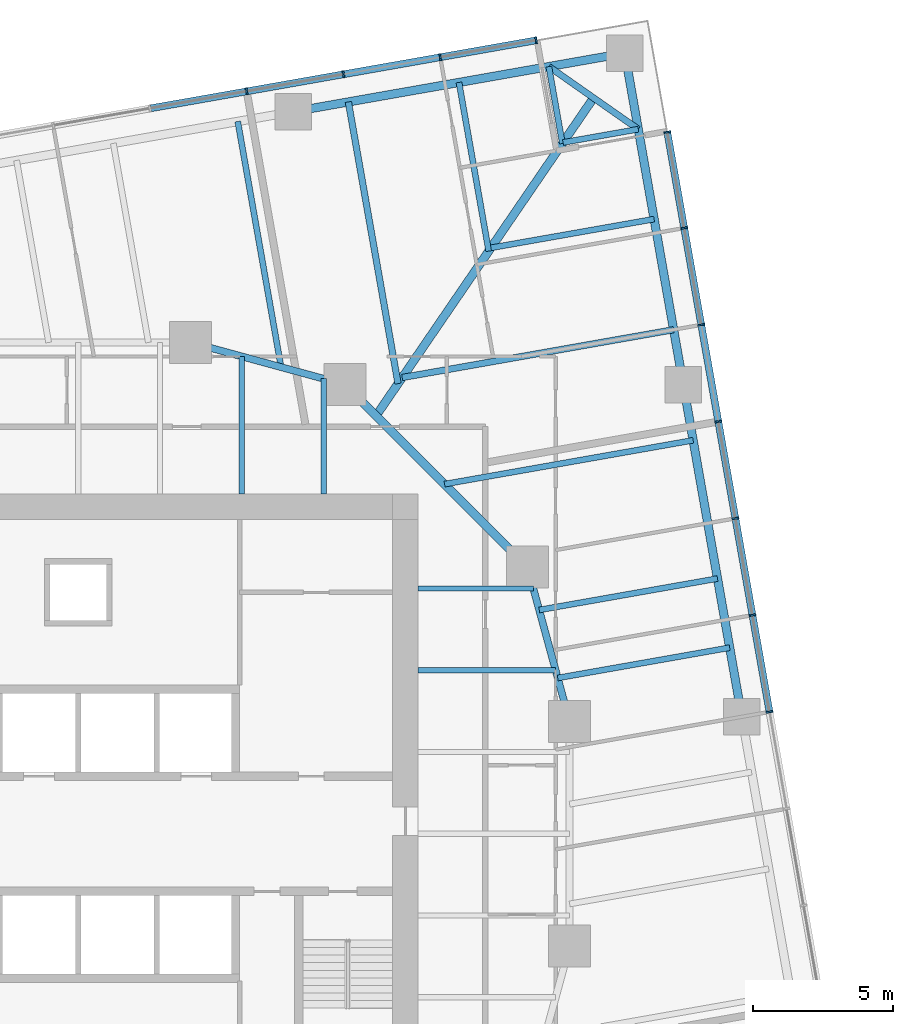
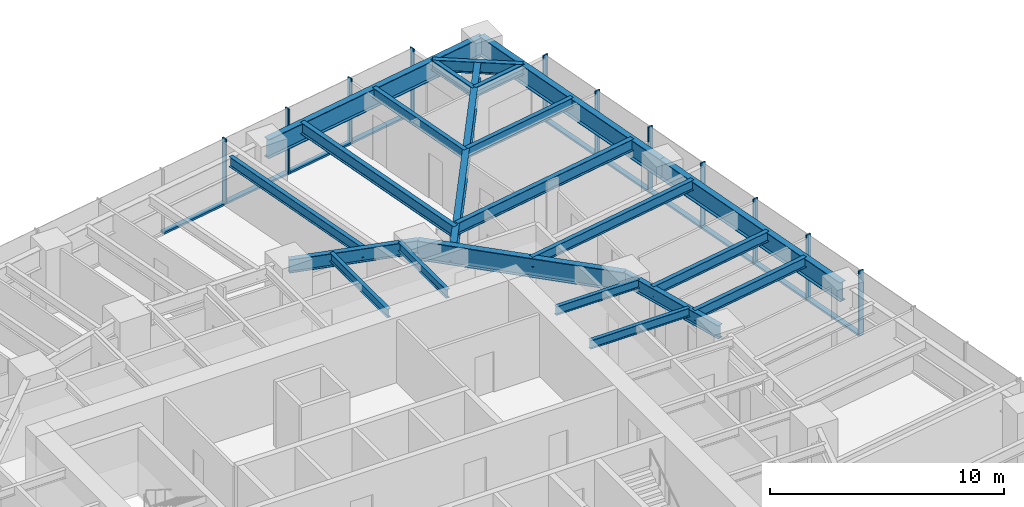
# One storey, part 6 of 14: 22 beams, 21 members, 2 elements without a shape of their own.
"""IFC4 building model written with IfcOpenShell, lengths in metres."""

from ifc_helpers import new_model, si_unit, direction, frame, origin, origin_2d, place, context, subcontext, project, spatial, rectangle, i_section, extrude, material, material_profile, profile_set, type_object, element, aggregate, save


model = new_model("IFC4")

# Units and contexts
model_context = context("Model", 3, precision=1e-05, world=origin(), true_north=direction((0.0, 1.0)))
body_context = subcontext(model_context, "Body", "Model", "MODEL_VIEW")
ifc_project = project(units=[si_unit("LENGTHUNIT", "METRE"), si_unit("AREAUNIT", "SQUARE_METRE"), si_unit("VOLUMEUNIT", "CUBIC_METRE"), si_unit("PLANEANGLEUNIT", "RADIAN"), si_unit("MASSUNIT", "GRAM", prefix="KILO")], contexts=[model_context])

# Site, building, storey
site_placement = place(None, origin())
site = spatial("IfcSite", under=ifc_project, at=site_placement, CompositionType="ELEMENT")
building_placement = place(site_placement, origin())
building = spatial("IfcBuilding", under=site, at=building_placement, Name="Torsade Residences", CompositionType="ELEMENT")
storey_placement = place(building_placement, frame((0.0, 0.0, 79.39990234375)))
storey = spatial("IfcBuildingStorey", under=building, at=storey_placement, Name="L21", CompositionType="ELEMENT", Elevation=79.39990234375)

# Beams
ifc_material_1 = material(Name="Steel grade 300", Category="steel")
ifc_material_profile_1 = material_profile(ifc_material_1, i_section(OverallWidth=0.300048828125, OverallDepth=0.89990234375, WebThickness=0.011962890625, FlangeThickness=0.02490234375, at=origin_2d()), Name="900WB175")
ifc_profile_set_1 = profile_set([ifc_material_profile_1], Name="Steel grade 300")
beam_type_1 = type_object("IfcBeamType", Name="CORNER GIRDER 900WB175", PredefinedType="BEAM", material=ifc_profile_set_1)
beam_1_placement = place(storey_placement, frame((58.3525390625, 56.2099609375, 2.800048828125), z_axis=(-0.564724759437, -0.825279313977, 0.0), x_axis=(0.825279313977, -0.564724759437, 0.0)))
element("IfcBeam", 1, at=beam_1_placement, inside=storey, type_object=beam_type_1, Name="Corner girder 09 L22", PredefinedType="BEAM", context=body_context, shape_type="SweptSolid", body=[
    extrude(i_section(OverallWidth=0.300048828125, OverallDepth=0.89990234375, WebThickness=0.011962890625, FlangeThickness=0.02490234375, at=origin_2d()), origin(), (0.0, 0.0, 1.0), 13.7138671875),
])
ifc_material_2 = material(Name="Steel grade 300", Category="steel")
ifc_material_profile_2 = material_profile(ifc_material_2, i_section(OverallWidth=0.22802734375, OverallDepth=0.60205078125, WebThickness=0.010498046875, FlangeThickness=0.014892578125, FilletRadius=0.013916015625, at=origin_2d()), Name="610UB101")
ifc_profile_set_2 = profile_set([ifc_material_profile_2], Name="Steel grade 300")
beam_type_2 = type_object("IfcBeamType", Name="CORNER TRIMMER 610UB101", PredefinedType="BEAM", material=ifc_profile_set_2)
beam_2_placement = place(storey_placement, frame((56.759521484375, 57.325439453125, 2.94921875), z_axis=(0.819152285145, -0.573576092373, 0.0), x_axis=(0.573576092373, 0.819152285145, 0.0)))
element("IfcBeam", 2, at=beam_2_placement, inside=storey, type_object=beam_type_2, Name="Corner trimmer 09 L22", PredefinedType="BEAM", context=body_context, shape_type="SweptSolid", body=[
    extrude(i_section(OverallWidth=0.22802734375, OverallDepth=0.60205078125, WebThickness=0.010498046875, FlangeThickness=0.014892578125, FilletRadius=0.013916015625, at=origin_2d()), origin(), (0.0, 0.0, 1.0), 3.88916015625),
])

# Curtain wall, members
ifc_material_3 = material(Name="Aluminium and glass", Category="aluminium")
curtain_wall_type = type_object("IfcCurtainWallType", Name="FRITTED GLASS CURTAIN WALL LOW ZONE", PredefinedType="NOTDEFINED", material=ifc_material_3)
curtain_wall_1_placement = place(storey_placement, origin())
curtain_wall_1 = element("IfcCurtainWall", 3, at=curtain_wall_1_placement, inside=storey, type_object=curtain_wall_type, Name="Curtain wall L21 face 4", PredefinedType="NOTDEFINED")
ifc_material_4 = material(Name="Aluminium mullion", Category="aluminium")
ifc_material_profile_3 = material_profile(ifc_material_4, rectangle(XDim=0.25, YDim=0.06494140625, at=origin_2d()), Name="CURTAIN WALL MULLION 250x65")
ifc_profile_set_3 = profile_set([ifc_material_profile_3], Name="Aluminium mullion")
member_type_1 = type_object("IfcMemberType", Name="CURTAIN WALL MULLION 250x65", PredefinedType="MULLION", material=ifc_profile_set_3)
member_1_placement = place(storey_placement, frame((64.6201171875, 34.34130859375, 0.0), z_axis=(0.0, 0.0, 1.0), x_axis=(-0.984807750372, -0.173648192638, 0.0)))
member_1 = element("IfcMember", 4, at=member_1_placement, type_object=member_type_1, Name="Mullion 7", PredefinedType="MULLION", context=body_context, shape_type="SweptSolid", body=[
    extrude(rectangle(XDim=0.25, YDim=0.06494140625, at=origin_2d()), origin(), (0.0, 0.0, 1.0), 3.400146484375),
])
member_2_placement = place(storey_placement, frame((64.012451171875, 37.7880859375, 0.0), z_axis=(0.0, 0.0, 1.0), x_axis=(-0.984807750372, -0.173648192638, 0.0)))
member_2 = element("IfcMember", 5, at=member_2_placement, type_object=member_type_1, Name="Mullion 8", PredefinedType="MULLION", context=body_context, shape_type="SweptSolid", body=[
    extrude(rectangle(XDim=0.25, YDim=0.06494140625, at=origin_2d()), origin(), (0.0, 0.0, 1.0), 3.400146484375),
])
member_3_placement = place(storey_placement, frame((63.404541015625, 41.23486328125, 0.0), z_axis=(0.0, 0.0, 1.0), x_axis=(-0.984807750372, -0.173648192638, 0.0)))
member_3 = element("IfcMember", 6, at=member_3_placement, type_object=member_type_1, Name="Mullion 9", PredefinedType="MULLION", context=body_context, shape_type="SweptSolid", body=[
    extrude(rectangle(XDim=0.25, YDim=0.06494140625, at=origin_2d()), origin(), (0.0, 0.0, 1.0), 3.400146484375),
])
member_4_placement = place(storey_placement, frame((62.796875, 44.681640625, 0.0), z_axis=(0.0, 0.0, 1.0), x_axis=(-0.984807750372, -0.173648192638, 0.0)))
member_4 = element("IfcMember", 7, at=member_4_placement, type_object=member_type_1, Name="Mullion 10", PredefinedType="MULLION", context=body_context, shape_type="SweptSolid", body=[
    extrude(rectangle(XDim=0.25, YDim=0.06494140625, at=origin_2d()), origin(), (0.0, 0.0, 1.0), 3.400146484375),
])
member_5_placement = place(storey_placement, frame((62.189208984375, 48.12841796875, 0.0), z_axis=(0.0, 0.0, 1.0), x_axis=(-0.984807750372, -0.173648192638, 0.0)))
member_5 = element("IfcMember", 8, at=member_5_placement, type_object=member_type_1, Name="Mullion 11", PredefinedType="MULLION", context=body_context, shape_type="SweptSolid", body=[
    extrude(rectangle(XDim=0.25, YDim=0.06494140625, at=origin_2d()), origin(), (0.0, 0.0, 1.0), 3.400146484375),
])
member_6_placement = place(storey_placement, frame((61.581298828125, 51.575439453125, 0.0), z_axis=(0.0, 0.0, 1.0), x_axis=(-0.984807750372, -0.173648192638, 0.0)))
member_6 = element("IfcMember", 9, at=member_6_placement, type_object=member_type_1, Name="Mullion 12", PredefinedType="MULLION", context=body_context, shape_type="SweptSolid", body=[
    extrude(rectangle(XDim=0.25, YDim=0.06494140625, at=origin_2d()), origin(), (0.0, 0.0, 1.0), 3.400146484375),
])
member_7_placement = place(storey_placement, frame((60.979248046875, 54.990234375, 0.0), z_axis=(0.0, 0.0, 1.0), x_axis=(-0.984807750372, -0.173648192638, 0.0)))
member_7 = element("IfcMember", 10, at=member_7_placement, type_object=member_type_1, Name="Mullion 13", PredefinedType="MULLION", context=body_context, shape_type="SweptSolid", body=[
    extrude(rectangle(XDim=0.25, YDim=0.06494140625, at=origin_2d()), origin(), (0.0, 0.0, 1.0), 3.400146484375),
])

curtain_wall_2_placement = place(storey_placement, origin())
curtain_wall_2 = element("IfcCurtainWall", 11, at=curtain_wall_2_placement, inside=storey, type_object=curtain_wall_type, Name="Curtain wall L21 face 7", PredefinedType="NOTDEFINED")
member_8_placement = place(storey_placement, frame((56.307861328125, 58.26123046875, 0.0), z_axis=(0.0, 0.0, 1.0), x_axis=(0.173648192638, -0.984807750372, 0.0)))
member_8 = element("IfcMember", 12, at=member_8_placement, type_object=member_type_1, Name="Mullion 1", PredefinedType="MULLION", context=body_context, shape_type="SweptSolid", body=[
    extrude(rectangle(XDim=0.25, YDim=0.06494140625, at=origin_2d()), origin(), (0.0, 0.0, 1.0), 3.400146484375),
])
member_9_placement = place(storey_placement, frame((52.892822265625, 57.658935546875, 0.0), z_axis=(0.0, 0.0, 1.0), x_axis=(0.173648192638, -0.984807750372, 0.0)))
member_9 = element("IfcMember", 13, at=member_9_placement, type_object=member_type_1, Name="Mullion 2", PredefinedType="MULLION", context=body_context, shape_type="SweptSolid", body=[
    extrude(rectangle(XDim=0.25, YDim=0.06494140625, at=origin_2d()), origin(), (0.0, 0.0, 1.0), 3.400146484375),
])
member_10_placement = place(storey_placement, frame((49.446044921875, 57.05126953125, 0.0), z_axis=(0.0, 0.0, 1.0), x_axis=(0.173648192638, -0.984807750372, 0.0)))
member_10 = element("IfcMember", 14, at=member_10_placement, type_object=member_type_1, Name="Mullion 3", PredefinedType="MULLION", context=body_context, shape_type="SweptSolid", body=[
    extrude(rectangle(XDim=0.25, YDim=0.06494140625, at=origin_2d()), origin(), (0.0, 0.0, 1.0), 3.400146484375),
])
member_11_placement = place(storey_placement, frame((45.999267578125, 56.443603515625, 0.0), z_axis=(0.0, 0.0, 1.0), x_axis=(0.173648192638, -0.984807750372, 0.0)))
member_11 = element("IfcMember", 15, at=member_11_placement, type_object=member_type_1, Name="Mullion 4", PredefinedType="MULLION", context=body_context, shape_type="SweptSolid", body=[
    extrude(rectangle(XDim=0.25, YDim=0.06494140625, at=origin_2d()), origin(), (0.0, 0.0, 1.0), 3.400146484375),
])

# Member
ifc_material_5 = material(Name="Aluminium transom", Category="aluminium")
ifc_material_profile_4 = material_profile(ifc_material_5, rectangle(XDim=0.25, YDim=0.10009765625, at=origin_2d()), Name="CURTAIN WALL TRANSOM 250x100")
ifc_profile_set_4 = profile_set([ifc_material_profile_4], Name="Aluminium transom")
member_type_2 = type_object("IfcMemberType", Name="CURTAIN WALL TRANSOM 250x100", PredefinedType="USERDEFINED", material=ifc_profile_set_4)
member_12_placement = place(storey_placement, frame((64.614501953125, 34.373291015625, 0.050048828125), z_axis=(-0.17363531196, 0.984810021497, 0.0), x_axis=(-0.984810021497, -0.17363531196, 0.0)))
member_12 = element("IfcMember", 16, at=member_12_placement, type_object=member_type_2, Name="Transom 7.1", ObjectType="TRANSOM", PredefinedType="USERDEFINED", context=body_context, shape_type="SweptSolid", body=[
    extrude(rectangle(XDim=0.25, YDim=0.10009765625, at=origin_2d()), origin(), (0.0, 0.0, 1.0), 3.43505859375),
])

member_13_placement = place(storey_placement, frame((64.0068359375, 37.820068359375, 0.050048828125), z_axis=(-0.17363531196, 0.984810021497, 0.0), x_axis=(-0.984810021497, -0.17363531196, 0.0)))
member_13 = element("IfcMember", 17, at=member_13_placement, type_object=member_type_2, Name="Transom 8.1", ObjectType="TRANSOM", PredefinedType="USERDEFINED", context=body_context, shape_type="SweptSolid", body=[
    extrude(rectangle(XDim=0.25, YDim=0.10009765625, at=origin_2d()), origin(), (0.0, 0.0, 1.0), 3.43505859375),
])

member_14_placement = place(storey_placement, frame((63.39892578125, 41.266845703125, 0.050048828125), z_axis=(-0.17363531196, 0.984810021497, 0.0), x_axis=(-0.984810021497, -0.17363531196, 0.0)))
member_14 = element("IfcMember", 18, at=member_14_placement, type_object=member_type_2, Name="Transom 9.1", ObjectType="TRANSOM", PredefinedType="USERDEFINED", context=body_context, shape_type="SweptSolid", body=[
    extrude(rectangle(XDim=0.25, YDim=0.10009765625, at=origin_2d()), origin(), (0.0, 0.0, 1.0), 3.43505859375),
])

member_15_placement = place(storey_placement, frame((62.791259765625, 44.713623046875, 0.050048828125), z_axis=(-0.17363531196, 0.984810021497, 0.0), x_axis=(-0.984810021497, -0.17363531196, 0.0)))
member_15 = element("IfcMember", 19, at=member_15_placement, type_object=member_type_2, Name="Transom 10.1", ObjectType="TRANSOM", PredefinedType="USERDEFINED", context=body_context, shape_type="SweptSolid", body=[
    extrude(rectangle(XDim=0.25, YDim=0.10009765625, at=origin_2d()), origin(), (0.0, 0.0, 1.0), 3.43505859375),
])

member_16_placement = place(storey_placement, frame((62.18359375, 48.160400390625, 0.050048828125), z_axis=(-0.173704242465, 0.98479786563, 0.0), x_axis=(-0.98479786563, -0.173704242465, 0.0)))
member_16 = element("IfcMember", 20, at=member_16_placement, type_object=member_type_2, Name="Transom 11.1", ObjectType="TRANSOM", PredefinedType="USERDEFINED", context=body_context, shape_type="SweptSolid", body=[
    extrude(rectangle(XDim=0.25, YDim=0.10009765625, at=origin_2d()), origin(), (0.0, 0.0, 1.0), 3.43505859375),
])

member_17_placement = place(storey_placement, frame((61.57568359375, 51.607421875, 0.050048828125), z_axis=(-0.173642067011, 0.984808830466, 0.0), x_axis=(-0.984808830466, -0.173642067011, 0.0)))
member_17 = element("IfcMember", 21, at=member_17_placement, type_object=member_type_2, Name="Transom 12.1", ObjectType="TRANSOM", PredefinedType="USERDEFINED", context=body_context, shape_type="SweptSolid", body=[
    extrude(rectangle(XDim=0.25, YDim=0.10009765625, at=origin_2d()), origin(), (0.0, 0.0, 1.0), 3.402587890625),
])

aggregate(curtain_wall_1, [member_1, member_2, member_3, member_4, member_5, member_6, member_7, member_12, member_13, member_14, member_15, member_16, member_17])

member_18_placement = place(storey_placement, frame((56.275634765625, 58.255615234375, 0.050048828125), z_axis=(-0.984806666774, -0.173654337918, 0.0), x_axis=(0.173654337918, -0.984806666774, 0.0)))
member_18 = element("IfcMember", 22, at=member_18_placement, type_object=member_type_2, Name="Transom 1.1", ObjectType="TRANSOM", PredefinedType="USERDEFINED", context=body_context, shape_type="SweptSolid", body=[
    extrude(rectangle(XDim=0.25, YDim=0.10009765625, at=origin_2d()), origin(), (0.0, 0.0, 1.0), 3.40234375),
])

member_19_placement = place(storey_placement, frame((52.86083984375, 57.6533203125, 0.050048828125), z_axis=(-0.984810021497, -0.17363531196, 0.0), x_axis=(0.17363531196, -0.984810021497, 0.0)))
member_19 = element("IfcMember", 23, at=member_19_placement, type_object=member_type_2, Name="Transom 2.1", ObjectType="TRANSOM", PredefinedType="USERDEFINED", context=body_context, shape_type="SweptSolid", body=[
    extrude(rectangle(XDim=0.25, YDim=0.10009765625, at=origin_2d()), origin(), (0.0, 0.0, 1.0), 3.43505859375),
])

member_20_placement = place(storey_placement, frame((49.4140625, 57.045654296875, 0.050048828125), z_axis=(-0.984810021497, -0.17363531196, 0.0), x_axis=(0.17363531196, -0.984810021497, 0.0)))
member_20 = element("IfcMember", 24, at=member_20_placement, type_object=member_type_2, Name="Transom 3.1", ObjectType="TRANSOM", PredefinedType="USERDEFINED", context=body_context, shape_type="SweptSolid", body=[
    extrude(rectangle(XDim=0.25, YDim=0.10009765625, at=origin_2d()), origin(), (0.0, 0.0, 1.0), 3.43505859375),
])

member_21_placement = place(storey_placement, frame((45.96728515625, 56.437744140625, 0.050048828125), z_axis=(-0.984810021497, -0.17363531196, 0.0), x_axis=(0.17363531196, -0.984810021497, 0.0)))
member_21 = element("IfcMember", 25, at=member_21_placement, type_object=member_type_2, Name="Transom 4.1", ObjectType="TRANSOM", PredefinedType="USERDEFINED", context=body_context, shape_type="SweptSolid", body=[
    extrude(rectangle(XDim=0.25, YDim=0.10009765625, at=origin_2d()), origin(), (0.0, 0.0, 1.0), 3.43505859375),
])

aggregate(curtain_wall_2, [member_8, member_9, member_10, member_11, member_18, member_19, member_20, member_21])

# Beams
ifc_material_6 = material(Name="Steel grade 300", Category="steel")
ifc_material_profile_5 = material_profile(ifc_material_6, i_section(OverallWidth=0.300048828125, OverallDepth=1.0, WebThickness=0.01611328125, FlangeThickness=0.028076171875, at=origin_2d()), Name="1000WB215")
ifc_profile_set_5 = profile_set([ifc_material_profile_5], Name="Steel grade 300")
beam_type_3 = type_object("IfcBeamType", Name="EDGE BEAM 1000WB215", PredefinedType="SPANDREL", material=ifc_profile_set_5)
beam_3_placement = place(storey_placement, frame((63.635498046875, 34.16748046875, 2.75), z_axis=(-0.173662308598, 0.984805261243, 0.0), x_axis=(-0.984805261243, -0.173662308598, 0.0)))
element("IfcBeam", 26, at=beam_3_placement, inside=storey, type_object=beam_type_3, Name="Edge beam 07 L22", PredefinedType="SPANDREL", context=body_context, shape_type="SweptSolid", body=[
    extrude(i_section(OverallWidth=0.300048828125, OverallDepth=1.0, WebThickness=0.01611328125, FlangeThickness=0.028076171875, at=origin_2d()), origin(), (0.0, 0.0, 1.0), 12.000244140625),
])
for number, where, z_axis, x_axis, name in (
    (27, (61.551513671875, 45.9853515625, 2.75), (-0.173646056486, 0.984808127031, 0.0), (-0.984808127031, -0.173646056486, 0.0), "Edge beam 08 L22"),
    (28, (59.4677734375, 57.802978515625, 2.75), (-0.984808127031, -0.173646056486, 0.0), (0.173646056486, -0.984808127031, 0.0), "Edge beam 09 L22"),
):
    element("IfcBeam", number, at=place(storey_placement, frame(where, z_axis=z_axis, x_axis=x_axis)), inside=storey, type_object=beam_type_3, Name=name, PredefinedType="SPANDREL", context=body_context, shape_type="SweptSolid", body=[
        extrude(i_section(OverallWidth=0.300048828125, OverallDepth=1.0, WebThickness=0.01611328125, FlangeThickness=0.028076171875, at=origin_2d()), origin(), (0.0, 0.0, 1.0), 12.0),
    ])
ifc_material_7 = material(Name="Steel grade 300", Category="steel")
ifc_material_profile_6 = material_profile(ifc_material_7, i_section(OverallWidth=0.18994140625, OverallDepth=0.4541015625, WebThickness=0.008544921875, FlangeThickness=0.0126953125, FilletRadius=0.011474609375, at=origin_2d()), Name="460UB67.1")
ifc_profile_set_6 = profile_set([ifc_material_profile_6], Name="Steel grade 300")
beam_type_4 = type_object("IfcBeamType", Name="INNER FLOOR BEAM 460UB67.1", PredefinedType="JOIST", material=ifc_profile_set_6)
beam_4_placement = place(storey_placement, frame((45.824951171875, 42.10009765625, 3.023193359375), z_axis=(0.0, 1.0, 0.0), x_axis=(-1.0, 0.0, 0.0)))
element("IfcBeam", 29, at=beam_4_placement, inside=storey, type_object=beam_type_4, Name="Inner floor beam IN06 L22", PredefinedType="JOIST", context=body_context, shape_type="SweptSolid", body=[
    extrude(i_section(OverallWidth=0.18994140625, OverallDepth=0.4541015625, WebThickness=0.008544921875, FlangeThickness=0.0126953125, FilletRadius=0.011474609375, at=origin_2d()), origin(), (0.0, 0.0, 1.0), 4.902099609375),
])
beam_5_placement = place(storey_placement, frame((48.737548828125, 42.10009765625, 3.023193359375), z_axis=(0.0, 1.0, 0.0), x_axis=(-1.0, 0.0, 0.0)))
element("IfcBeam", 30, at=beam_5_placement, inside=storey, type_object=beam_type_4, Name="Inner floor beam IN07 L22", PredefinedType="JOIST", context=body_context, shape_type="SweptSolid", body=[
    extrude(i_section(OverallWidth=0.18994140625, OverallDepth=0.4541015625, WebThickness=0.008544921875, FlangeThickness=0.0126953125, FilletRadius=0.011474609375, at=origin_2d()), origin(), (0.0, 0.0, 1.0), 4.10791015625),
])
beam_6_placement = place(storey_placement, frame((52.10009765625, 35.824951171875, 3.023193359375), z_axis=(1.0, 0.0, 0.0), x_axis=(0.0, 1.0, 0.0)))
element("IfcBeam", 31, at=beam_6_placement, inside=storey, type_object=beam_type_4, Name="Inner floor beam IE06 L22", PredefinedType="JOIST", context=body_context, shape_type="SweptSolid", body=[
    extrude(i_section(OverallWidth=0.18994140625, OverallDepth=0.4541015625, WebThickness=0.008544921875, FlangeThickness=0.0126953125, FilletRadius=0.011474609375, at=origin_2d()), origin(), (0.0, 0.0, 1.0), 4.902099609375),
])
beam_7_placement = place(storey_placement, frame((52.10009765625, 38.737548828125, 3.023193359375), z_axis=(1.0, 0.0, 0.0), x_axis=(0.0, 1.0, 0.0)))
element("IfcBeam", 32, at=beam_7_placement, inside=storey, type_object=beam_type_4, Name="Inner floor beam IE07 L22", PredefinedType="JOIST", context=body_context, shape_type="SweptSolid", body=[
    extrude(i_section(OverallWidth=0.18994140625, OverallDepth=0.4541015625, WebThickness=0.008544921875, FlangeThickness=0.0126953125, FilletRadius=0.011474609375, at=origin_2d()), origin(), (0.0, 0.0, 1.0), 4.10791015625),
])
ifc_material_8 = material(Name="Steel grade 300", Category="steel")
ifc_material_profile_7 = material_profile(ifc_material_8, i_section(OverallWidth=0.300048828125, OverallDepth=1.0, WebThickness=0.01611328125, FlangeThickness=0.028076171875, at=origin_2d()), Name="1000WB215")
ifc_profile_set_7 = profile_set([ifc_material_profile_7], Name="Steel grade 300")
beam_type_5 = type_object("IfcBeamType", Name="RING CORNER GIRDER 1000WB215", PredefinedType="BEAM", material=ifc_profile_set_7)
beam_8_placement = place(storey_placement, frame((56.0, 39.5, 2.75), z_axis=(-0.707106781187, 0.707106781187, 0.0), x_axis=(-0.707106781187, -0.707106781187, 0.0)))
element("IfcBeam", 33, at=beam_8_placement, inside=storey, type_object=beam_type_5, Name="Ring girder IR03 L22", PredefinedType="BEAM", context=body_context, shape_type="SweptSolid", body=[
    extrude(i_section(OverallWidth=0.300048828125, OverallDepth=1.0, WebThickness=0.01611328125, FlangeThickness=0.028076171875, at=origin_2d()), origin(), (0.0, 0.0, 1.0), 9.1923828125),
])
ifc_material_9 = material(Name="Steel grade 300", Category="steel")
ifc_material_profile_8 = material_profile(ifc_material_9, i_section(OverallWidth=0.25, OverallDepth=0.699951171875, WebThickness=0.010009765625, FlangeThickness=0.02001953125, at=origin_2d()), Name="700WB130")
ifc_profile_set_8 = profile_set([ifc_material_profile_8], Name="Steel grade 300")
beam_type_6 = type_object("IfcBeamType", Name="RING GIRDER 700WB130", PredefinedType="BEAM", material=ifc_profile_set_8)
for number, where, z_axis, x_axis, name in (
    (34, (57.5, 34.0, 2.900146484375), (-0.263117405792, 0.964763821238, 0.0), (-0.964763821238, -0.263117405792, 0.0), "Ring girder IR02 L22"),
    (35, (49.5, 46.0, 2.900146484375), (-0.964763821238, 0.263117405792, 0.0), (-0.263117405792, -0.964763821238, 0.0), "Ring girder IR04 L22"),
):
    element("IfcBeam", number, at=place(storey_placement, frame(where, z_axis=z_axis, x_axis=x_axis)), inside=storey, type_object=beam_type_6, Name=name, PredefinedType="BEAM", context=body_context, shape_type="SweptSolid", body=[
        extrude(i_section(OverallWidth=0.25, OverallDepth=0.699951171875, WebThickness=0.010009765625, FlangeThickness=0.02001953125, at=origin_2d()), origin(), (0.0, 0.0, 1.0), 5.700927734375),
    ])
ifc_material_10 = material(Name="Steel grade 300", Category="steel")
ifc_material_profile_9 = material_profile(ifc_material_10, i_section(OverallWidth=0.208984375, OverallDepth=0.528076171875, WebThickness=0.009521484375, FlangeThickness=0.01318359375, FilletRadius=0.013916015625, at=origin_2d()), Name="530UB82.0")
ifc_profile_set_9 = profile_set([ifc_material_profile_9], Name="Steel grade 300")
beam_type_7 = type_object("IfcBeamType", Name="SECONDARY BEAM 530UB82.0", PredefinedType="JOIST", material=ifc_profile_set_9)
beam_9_placement = place(storey_placement, frame((63.201171875, 36.629638671875, 2.986083984375), z_axis=(-0.984806474989, -0.173655425542, 0.0), x_axis=(0.173655425542, -0.984806474989, 0.0)))
element("IfcBeam", 36, at=beam_9_placement, inside=storey, type_object=beam_type_7, Name="Floor beam FE07 L22", PredefinedType="JOIST", context=body_context, shape_type="SweptSolid", body=[
    extrude(i_section(OverallWidth=0.208984375, OverallDepth=0.528076171875, WebThickness=0.009521484375, FlangeThickness=0.01318359375, FilletRadius=0.013916015625, at=origin_2d()), origin(), (0.0, 0.0, 1.0), 6.21826171875),
])
beam_10_placement = place(storey_placement, frame((62.76708984375, 39.091552734375, 2.986083984375), z_axis=(-0.984810608823, -0.17363198078, 0.0), x_axis=(0.17363198078, -0.984810608823, 0.0)))
element("IfcBeam", 37, at=beam_10_placement, inside=storey, type_object=beam_type_7, Name="Floor beam FE08 L22", PredefinedType="JOIST", context=body_context, shape_type="SweptSolid", body=[
    extrude(i_section(OverallWidth=0.208984375, OverallDepth=0.528076171875, WebThickness=0.009521484375, FlangeThickness=0.01318359375, FilletRadius=0.013916015625, at=origin_2d()), origin(), (0.0, 0.0, 1.0), 6.4482421875),
])
beam_11_placement = place(storey_placement, frame((61.89892578125, 44.015625, 2.986083984375), z_axis=(-0.984809246638, -0.173639706679, 0.0), x_axis=(0.173639706679, -0.984809246638, 0.0)))
element("IfcBeam", 38, at=beam_11_placement, inside=storey, type_object=beam_type_7, Name="Floor beam FE09 L22", PredefinedType="JOIST", context=body_context, shape_type="SweptSolid", body=[
    extrude(i_section(OverallWidth=0.208984375, OverallDepth=0.528076171875, WebThickness=0.009521484375, FlangeThickness=0.01318359375, FilletRadius=0.013916015625, at=origin_2d()), origin(), (0.0, 0.0, 1.0), 8.989990234375),
])
beam_12_placement = place(storey_placement, frame((60.509765625, 51.89404296875, 2.986083984375), z_axis=(-0.984811033899, -0.173629569808, 0.0), x_axis=(0.173629569808, -0.984811033899, 0.0)))
element("IfcBeam", 39, at=beam_12_placement, inside=storey, type_object=beam_type_7, Name="Floor beam FE11 L22", PredefinedType="JOIST", context=body_context, shape_type="SweptSolid", body=[
    extrude(i_section(OverallWidth=0.208984375, OverallDepth=0.528076171875, WebThickness=0.009521484375, FlangeThickness=0.01318359375, FilletRadius=0.013916015625, at=origin_2d()), origin(), (0.0, 0.0, 1.0), 5.9013671875),
])
beam_13_placement = place(storey_placement, frame((59.9453125, 55.0947265625, 2.986083984375), z_axis=(-0.984807941563, -0.17364710834, 0.0), x_axis=(0.17364710834, -0.984807941563, 0.0)))
element("IfcBeam", 40, at=beam_13_placement, inside=storey, type_object=beam_type_7, Name="Floor beam FE12 L22", PredefinedType="JOIST", context=body_context, shape_type="SweptSolid", body=[
    extrude(i_section(OverallWidth=0.208984375, OverallDepth=0.528076171875, WebThickness=0.009521484375, FlangeThickness=0.01318359375, FilletRadius=0.013916015625, at=origin_2d()), origin(), (0.0, 0.0, 1.0), 2.720458984375),
])
beam_14_placement = place(storey_placement, frame((56.759521484375, 57.325439453125, 2.986083984375), z_axis=(0.173705176765, -0.984797700832, 0.0), x_axis=(0.984797700832, 0.173705176765, 0.0)))
element("IfcBeam", 41, at=beam_14_placement, inside=storey, type_object=beam_type_7, Name="Floor beam FN01 L22", PredefinedType="JOIST", context=body_context, shape_type="SweptSolid", body=[
    extrude(i_section(OverallWidth=0.208984375, OverallDepth=0.528076171875, WebThickness=0.009521484375, FlangeThickness=0.01318359375, FilletRadius=0.013916015625, at=origin_2d()), origin(), (0.0, 0.0, 1.0), 2.780029296875),
])
beam_15_placement = place(storey_placement, frame((53.55908203125, 56.760986328125, 2.986083984375), z_axis=(0.173639225065, -0.984809331556, 0.0), x_axis=(0.984809331556, 0.173639225065, 0.0)))
element("IfcBeam", 42, at=beam_15_placement, inside=storey, type_object=beam_type_7, Name="Floor beam FN02 L22", PredefinedType="JOIST", context=body_context, shape_type="SweptSolid", body=[
    extrude(i_section(OverallWidth=0.208984375, OverallDepth=0.528076171875, WebThickness=0.009521484375, FlangeThickness=0.01318359375, FilletRadius=0.013916015625, at=origin_2d()), origin(), (0.0, 0.0, 1.0), 6.100830078125),
])
beam_16_placement = place(storey_placement, frame((45.680419921875, 55.371826171875, 2.986083984375), z_axis=(0.173667781384, -0.984804296147, 0.0), x_axis=(0.984804296147, 0.173667781384, 0.0)))
element("IfcBeam", 43, at=beam_16_placement, inside=storey, type_object=beam_type_7, Name="Floor beam FN04 L22", PredefinedType="JOIST", context=body_context, shape_type="SweptSolid", body=[
    extrude(i_section(OverallWidth=0.208984375, OverallDepth=0.528076171875, WebThickness=0.009521484375, FlangeThickness=0.01318359375, FilletRadius=0.013916015625, at=origin_2d()), origin(), (0.0, 0.0, 1.0), 8.885986328125),
])
ifc_material_11 = material(Name="Steel grade 300", Category="steel")
ifc_material_profile_10 = material_profile(ifc_material_11, i_section(OverallWidth=0.22900390625, OverallDepth=0.612060546875, WebThickness=0.011962890625, FlangeThickness=0.01953125, FilletRadius=0.013916015625, at=origin_2d()), Name="610UB125")
ifc_profile_set_10 = profile_set([ifc_material_profile_10], Name="Steel grade 300")
beam_type_8 = type_object("IfcBeamType", Name="SECONDARY BEAM 610UB125", PredefinedType="JOIST", material=ifc_profile_set_10)
beam_17_placement = place(storey_placement, frame((61.204345703125, 47.954833984375, 2.944091796875), z_axis=(-0.984807085789, -0.173651961637, 0.0), x_axis=(0.173651961637, -0.984807085789, 0.0)))
element("IfcBeam", 44, at=beam_17_placement, inside=storey, type_object=beam_type_8, Name="Floor beam FE10 L22", PredefinedType="JOIST", context=body_context, shape_type="SweptSolid", body=[
    extrude(i_section(OverallWidth=0.22900390625, OverallDepth=0.612060546875, WebThickness=0.011962890625, FlangeThickness=0.01953125, FilletRadius=0.013916015625, at=origin_2d()), origin(), (0.0, 0.0, 1.0), 9.816162109375),
])
beam_18_placement = place(storey_placement, frame((49.619873046875, 56.06640625, 2.944091796875), z_axis=(0.173644522411, -0.984808397525, 0.0), x_axis=(0.984808397525, 0.173644522411, 0.0)))
element("IfcBeam", 45, at=beam_18_placement, inside=storey, type_object=beam_type_8, Name="Floor beam FN03 L22", PredefinedType="JOIST", context=body_context, shape_type="SweptSolid", body=[
    extrude(i_section(OverallWidth=0.22900390625, OverallDepth=0.612060546875, WebThickness=0.011962890625, FlangeThickness=0.01953125, FilletRadius=0.013916015625, at=origin_2d()), origin(), (0.0, 0.0, 1.0), 10.187744140625),
])

save(model, "model.ifc")
